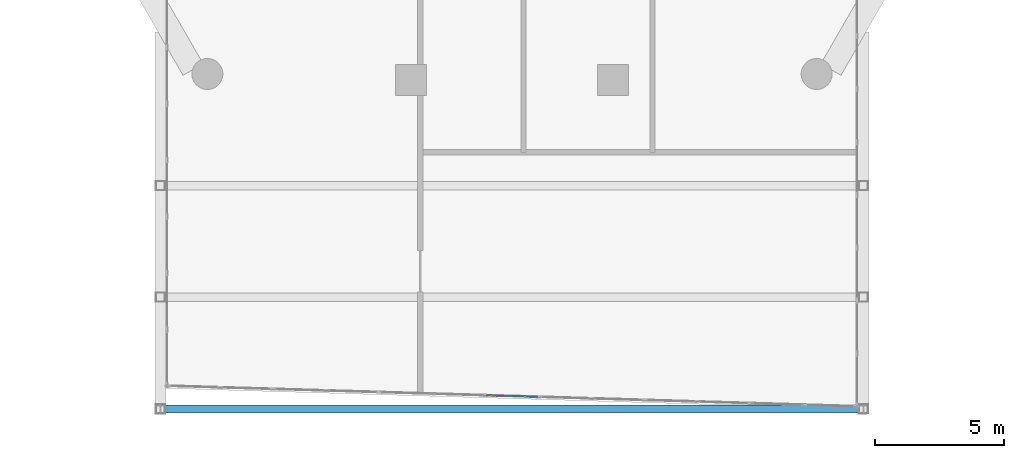
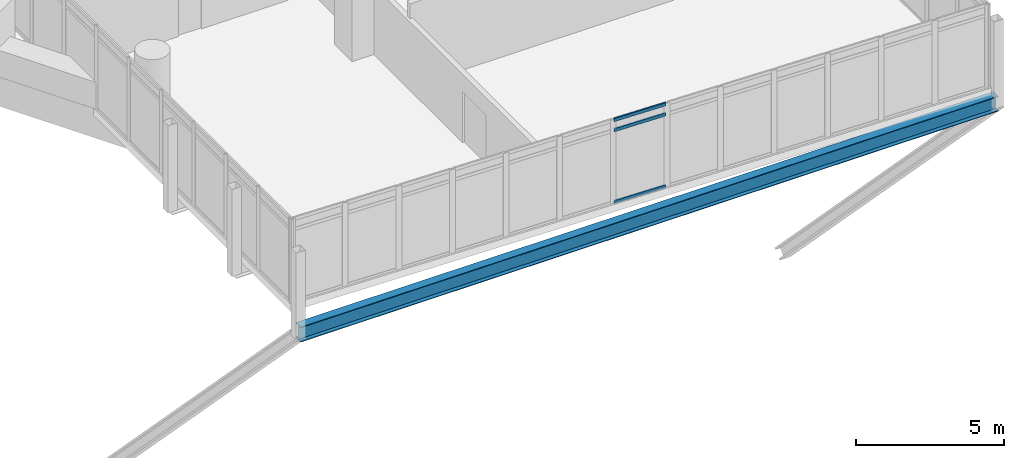
# One storey, part 6 of 37: 3 members, 1 beam, 1 element without a shape of its own.
"""IFC4 building model written with IfcOpenShell, lengths in metres."""

from ifc_helpers import new_model, si_unit, direction, frame, origin, origin_2d, place, context, subcontext, project, spatial, hollow_rectangle, i_section, extrude, material, material_profile, profile_set, type_object, element, aggregate, save


model = new_model("IFC4")

# Units and contexts
model_context = context("Model", 3, precision=1e-05, world=origin(), true_north=direction((0.0, 1.0)))
body_context = subcontext(model_context, "Body", "Model", "MODEL_VIEW")
ifc_project = project(units=[si_unit("LENGTHUNIT", "METRE"), si_unit("AREAUNIT", "SQUARE_METRE"), si_unit("VOLUMEUNIT", "CUBIC_METRE"), si_unit("PLANEANGLEUNIT", "RADIAN"), si_unit("MASSUNIT", "GRAM", prefix="KILO")], contexts=[model_context])

# Site, building, storey
site_placement = place(None, origin())
site = spatial("IfcSite", under=ifc_project, at=site_placement, CompositionType="ELEMENT")
building_placement = place(site_placement, origin())
building = spatial("IfcBuilding", under=site, at=building_placement, Name="Ostrander Bayou Hotel Tower", CompositionType="ELEMENT")
storey_placement = place(building_placement, frame((0.0, 0.0, 131.0)))
storey = spatial("IfcBuildingStorey", under=building, at=storey_placement, Name="L32", CompositionType="ELEMENT", Elevation=131.0)

# Curtain wall, members
ifc_material_1 = material(Name="Aluminium and clear glass", Category="aluminium")
curtain_wall_type = type_object("IfcCurtainWallType", Name="CW-BAR glazed wall", PredefinedType="NOTDEFINED", material=ifc_material_1)
curtain_wall_placement = place(storey_placement, origin())
curtain_wall = element("IfcCurtainWall", 1, at=curtain_wall_placement, inside=storey, type_object=curtain_wall_type, Name="CW-BAR L32:SB3S:T", PredefinedType="NOTDEFINED")
ifc_material_2 = material(Name="Aluminium", Category="aluminium")
ifc_material_profile_1 = material_profile(ifc_material_2, hollow_rectangle(XDim=0.06005859375, YDim=0.1298828125, WallThickness=0.00390625, at=origin_2d()))
ifc_profile_set_1 = profile_set([ifc_material_profile_1], Name="Aluminium")
member_type = type_object("IfcMemberType", Name="CW-BR transom 60 x 130 mm", PredefinedType="USERDEFINED", material=ifc_profile_set_1)
member_1_placement = place(storey_placement, frame((-0.998291015625, -30.92041015625, 0.030029296875), z_axis=(0.999558835181, -0.029700757758, 0.0), x_axis=(0.029700757758, 0.999558835181, 0.0)))
member_1 = element("IfcMember", 2, at=member_1_placement, type_object=member_type, Name="CW-BAR transom 7.1", ObjectType="TRANSOM", PredefinedType="USERDEFINED", context=body_context, shape_type="SweptSolid", body=[
    extrude(hollow_rectangle(XDim=0.06005859375, YDim=0.1298828125, WallThickness=0.00390625, at=origin_2d()), origin(), (0.0, 0.0, 1.0), 1.99755859375),
])
member_2_placement = place(storey_placement, frame((-0.998291015625, -30.92041015625, 3.0), z_axis=(0.999558835181, -0.029700757758, 0.0), x_axis=(0.029700757758, 0.999558835181, 0.0)))
member_2 = element("IfcMember", 3, at=member_2_placement, type_object=member_type, Name="CW-BAR transom 7.2", ObjectType="TRANSOM", PredefinedType="USERDEFINED", context=body_context, shape_type="SweptSolid", body=[
    extrude(hollow_rectangle(XDim=0.06005859375, YDim=0.1298828125, WallThickness=0.00390625, at=origin_2d()), origin(), (0.0, 0.0, 1.0), 1.99755859375),
])
member_3_placement = place(storey_placement, frame((-0.998291015625, -30.92041015625, 3.419921875), z_axis=(0.999558835181, -0.029700757758, 0.0), x_axis=(0.029700757758, 0.999558835181, 0.0)))
member_3 = element("IfcMember", 4, at=member_3_placement, type_object=member_type, Name="CW-BAR transom 7.3", ObjectType="TRANSOM", PredefinedType="USERDEFINED", context=body_context, shape_type="SweptSolid", body=[
    extrude(hollow_rectangle(XDim=0.06005859375, YDim=0.1298828125, WallThickness=0.00390625, at=origin_2d()), origin(), (0.0, 0.0, 1.0), 1.99755859375),
])
aggregate(curtain_wall, [member_1, member_2, member_3])

# Beam
ifc_material_3 = material(Name="Steel ASTM A992", Category="steel")
ifc_material_profile_2 = material_profile(ifc_material_3, i_section(OverallWidth=0.32763671875, OverallDepth=0.621826171875, WebThickness=0.015380859375, FlangeThickness=0.0244140625, at=origin_2d()))
ifc_profile_set_2 = profile_set([ifc_material_profile_2], Name="Steel ASTM A992")
beam_type = type_object("IfcBeamType", Name="TF1 bar floor beam W24x131", PredefinedType="BEAM", material=ifc_profile_set_2)
beam_placement = place(storey_placement, frame((-13.6201171875, -31.449951171875, -0.61083984375), z_axis=(1.0, 0.0, 0.0), x_axis=(0.0, 1.0, 0.0)))
element("IfcBeam", 5, at=beam_placement, inside=storey, type_object=beam_type, Name="TF1 SB3S L1-3", PredefinedType="BEAM", context=body_context, shape_type="SweptSolid", body=[
    extrude(i_section(OverallWidth=0.32763671875, OverallDepth=0.621826171875, WebThickness=0.015380859375, FlangeThickness=0.0244140625, at=origin_2d()), origin(), (0.0, 0.0, 1.0), 27.240234375),
])

save(model, "model.ifc")
